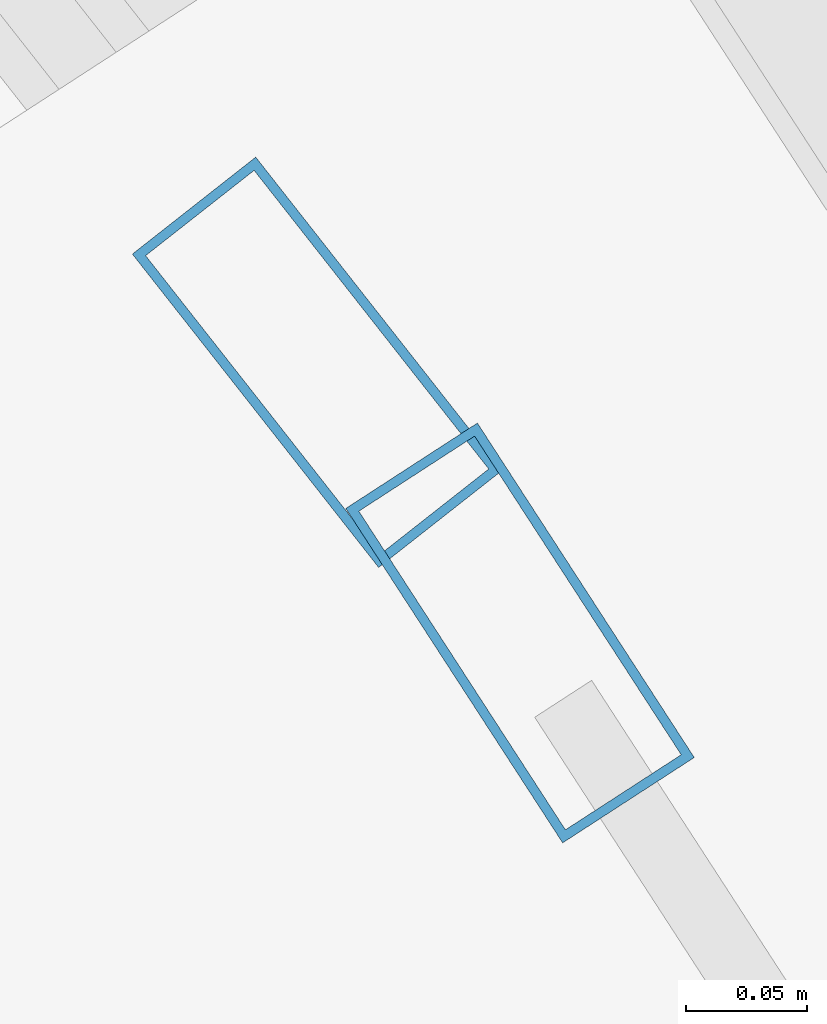
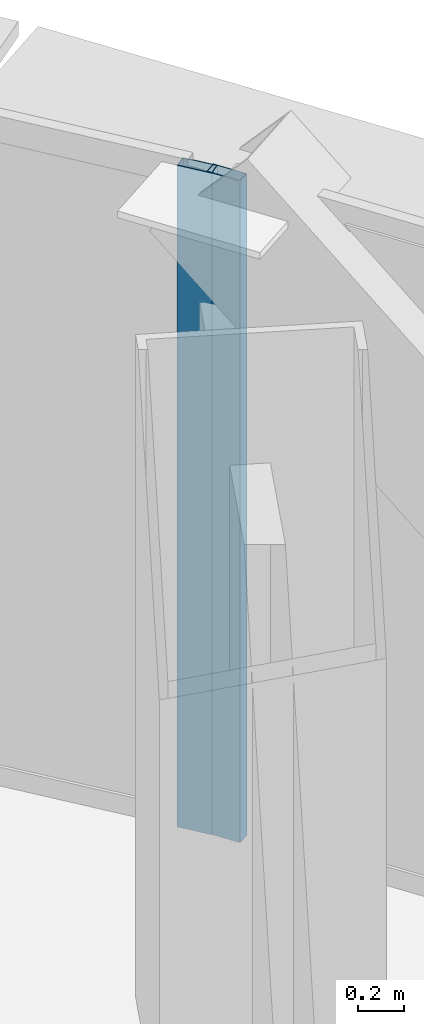
# One storey, part 18 of 36: 2 members, 2 elements without a shape of their own.
"""IFC4 building model written with IfcOpenShell, lengths in metres."""

from ifc_helpers import new_model, si_unit, direction, frame, origin, origin_2d, place, context, subcontext, project, spatial, hollow_rectangle, extrude, source, transform, mapped, material, layer, layer_set, material_profile, profile_set, type_object, element, aggregate, save


model = new_model("IFC4")

# Units and contexts
model_context = context("Model", 3, precision=1e-05, world=origin(), true_north=direction((0.0, 1.0)))
body_context = subcontext(model_context, "Body", "Model", "MODEL_VIEW")
ifc_project = project(units=[si_unit("LENGTHUNIT", "METRE"), si_unit("AREAUNIT", "SQUARE_METRE"), si_unit("VOLUMEUNIT", "CUBIC_METRE"), si_unit("PLANEANGLEUNIT", "RADIAN"), si_unit("MASSUNIT", "GRAM", prefix="KILO"), si_unit("THERMODYNAMICTEMPERATUREUNIT", "KELVIN"), si_unit("POWERUNIT", "WATT")], contexts=[model_context])

# Site, building, storey
site_placement = place(None, origin())
site = spatial("IfcSite", under=ifc_project, at=site_placement, CompositionType="ELEMENT")
building_placement = place(site_placement, origin())
building = spatial("IfcBuilding", under=site, at=building_placement, Name="Yunzhuo Pagoda Commons", CompositionType="ELEMENT")
storey_placement = place(building_placement, frame((0.0, 0.0, 107.780029296875)))
storey = spatial("IfcBuildingStorey", under=building, at=storey_placement, Name="L27", CompositionType="ELEMENT", Elevation=107.780029296875)

# Curtain wall, member
ifc_material = material(Name="Anodized aluminium 6063-T6", Category="aluminium")
ifc_layer = layer(ifc_material, 0.1650390625)
ifc_layer_set = layer_set([ifc_layer], Name="Anodized aluminium 6063-T6")
curtain_wall_type = type_object("IfcCurtainWallType", Name="CW-LOW Low-Zone Ribbon Curtain Wall", PredefinedType="NOTDEFINED", material=ifc_layer_set)
curtain_wall_1_placement = place(storey_placement, origin())
curtain_wall_1 = element("IfcCurtainWall", 1, at=curtain_wall_1_placement, inside=storey, type_object=curtain_wall_type, Name="L27 curtain wall CW-L27-F2B4", PredefinedType="NOTDEFINED")
ifc_material_profile = material_profile(ifc_material, hollow_rectangle(XDim=0.06494140625, YDim=0.1650390625, WallThickness=0.00390625, at=origin_2d()), Name="Anodized aluminium 6063-T6")
ifc_profile_set = profile_set([ifc_material_profile], Name="Anodized aluminium 6063-T6")
member_type = type_object("IfcMemberType", Name="CW-LOW-M Mullion RHS 165x65x4", PredefinedType="MULLION", material=ifc_profile_set)
shared_shape = source(origin(), body_context, "Body", "SweptSolid", [
    extrude(hollow_rectangle(XDim=0.06494140625, YDim=0.1650390625, WallThickness=0.00390625, at=origin_2d()), origin(), (0.0, 0.0, 1.0), 3.5400390625),
])
member_1_placement = place(storey_placement, frame((64.65380859375, 71.038330078125, 0.0), z_axis=(0.0, 0.0, 1.0), x_axis=(-0.839039875799, -0.544069928244, 0.0)))
member_1 = element("IfcMember", 2, at=member_1_placement, type_object=member_type, Name="CW mullion 2", PredefinedType="MULLION", context=body_context, shape_type="MappedRepresentation", body=[
    mapped(shared_shape, transform((0.0, 0.0, 0.0), scale=1.0)),
])
aggregate(curtain_wall_1, [member_1])

curtain_wall_2_placement = place(storey_placement, origin())
curtain_wall_2 = element("IfcCurtainWall", 3, at=curtain_wall_2_placement, inside=storey, type_object=curtain_wall_type, Name="L27 curtain wall CW-L27-F2B5", PredefinedType="NOTDEFINED")
member_2_placement = place(storey_placement, frame((64.56982421875, 71.150390625, 0.0), z_axis=(0.0, 0.0, 1.0), x_axis=(-0.786301112862, -0.617843475253, 0.0)))
member_2 = element("IfcMember", 4, at=member_2_placement, type_object=member_type, Name="CW mullion 1", PredefinedType="MULLION", context=body_context, shape_type="MappedRepresentation", body=[
    mapped(shared_shape, transform((0.0, 0.0, 0.0), scale=1.0)),
])
aggregate(curtain_wall_2, [member_2])

save(model, "model.ifc")
